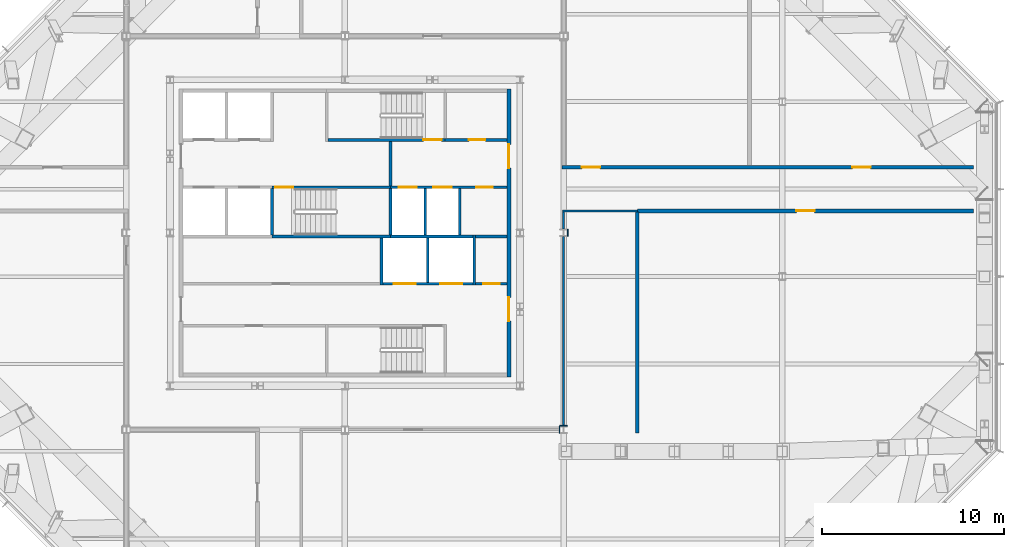
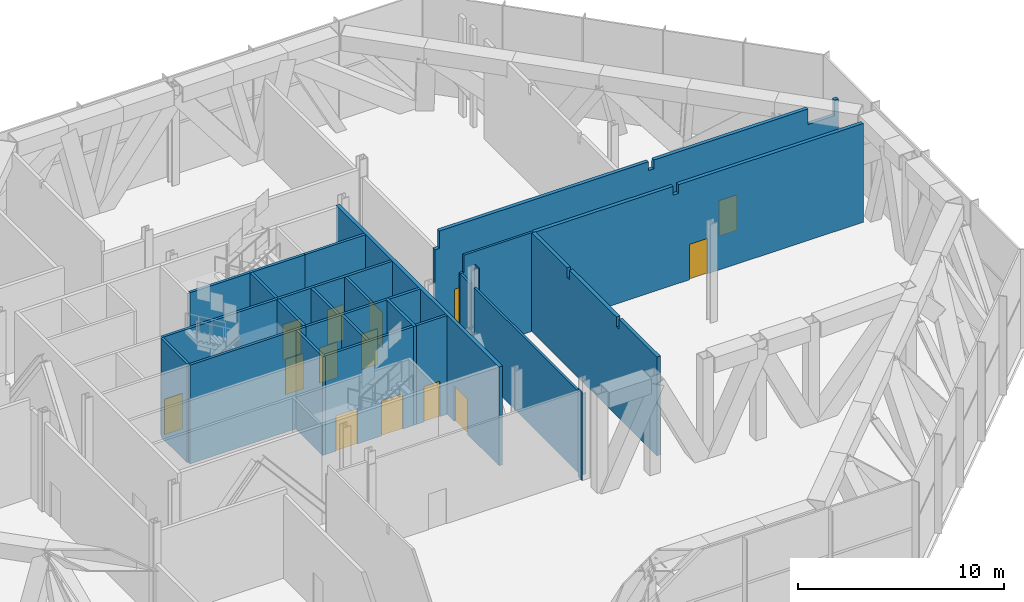
# One storey, part 14 of 18: 27 walls, 14 doors, 14 openings.
"""IFC4 building model written with IfcOpenShell, lengths in metres."""

from ifc_helpers import new_model, si_unit, direction, frame, frame_2d, origin, place, context, subcontext, project, spatial, polyline, rectangle, outline, extrude, material, layer, layer_set, type_object, element, fill, save


model = new_model("IFC4")

# Units and contexts
model_context = context("Model", 3, precision=1e-05, world=origin(), true_north=direction((0.0, 1.0)))
body_context = subcontext(model_context, "Body", "Model", "MODEL_VIEW")
ifc_project = project(units=[si_unit("LENGTHUNIT", "METRE"), si_unit("AREAUNIT", "SQUARE_METRE"), si_unit("VOLUMEUNIT", "CUBIC_METRE"), si_unit("PLANEANGLEUNIT", "RADIAN"), si_unit("MASSUNIT", "GRAM", prefix="KILO")], contexts=[model_context])

# Site, building, storey
site_placement = place(None, origin())
site = spatial("IfcSite", under=ifc_project, at=site_placement, CompositionType="ELEMENT")
building_placement = place(site_placement, origin())
building = spatial("IfcBuilding", under=site, at=building_placement, Name="Cairn Pilgrim Tower", CompositionType="ELEMENT")
storey_placement = place(building_placement, frame((0.0, 0.0, 204.60009765625)))
storey = spatial("IfcBuildingStorey", under=building, at=storey_placement, Name="L52", CompositionType="ELEMENT", Elevation=204.60009765625)

# Wall, openings, doors
ifc_material_1 = material(Name="Concrete C32/40", Category="concrete")
ifc_layer_1 = layer(ifc_material_1, 0.199951171875)
ifc_layer_set_1 = layer_set([ifc_layer_1], Name="CORE OUTER WALL 200 EI 120")
wall_type_1 = type_object("IfcWallType", Name="CORE OUTER WALL 200 EI 120", PredefinedType="SOLIDWALL", material=ifc_layer_set_1)
wall_1_placement = place(storey_placement, frame((16.199951171875, -5.5, 0.0), z_axis=(0.0, 0.0, 1.0), x_axis=(0.0, 1.0, 0.0)))
wall_1 = element("IfcWall", 1, at=wall_1_placement, inside=storey, type_object=wall_type_1, Name="CW:L52:V29", PredefinedType="SOLIDWALL", context=body_context, shape_type="SweptSolid", body=[
    extrude(rectangle(XDim=15.800048828125, YDim=0.199951171875, at=frame_2d((7.89990234375, 0.0))), origin(), (0.0, 0.0, 1.0), 5.849853515625),
])
opening_1_placement = place(wall_1_placement, frame((3.050048828125, 0.0, 0.0)))
opening_1 = element("IfcOpeningElement", 2, at=opening_1_placement, cuts=wall_1, Name="Opening CD-E1", PredefinedType="OPENING", context=body_context, shape_type="SweptSolid", body=[
    extrude(rectangle(XDim=1.300048828125, YDim=2.10009765625, at=frame_2d((0.64990234375, 1.050048828125))), frame((0.0, 0.10986328125, 0.0), z_axis=(0.0, -1.0, 0.0), x_axis=(1.0, 0.0, 0.0)), (0.0, 0.0, 1.0), 0.219970703125),
])
opening_2_placement = place(wall_1_placement, frame((11.449951171875, 0.0, 0.0)))
opening_2 = element("IfcOpeningElement", 3, at=opening_2_placement, cuts=wall_1, Name="Opening CD-E2", PredefinedType="OPENING", context=body_context, shape_type="SweptSolid", body=[
    extrude(rectangle(XDim=1.300048828125, YDim=2.10009765625, at=frame_2d((0.64990234375, 1.050048828125))), frame((0.0, 0.10986328125, 0.0), z_axis=(0.0, -1.0, 0.0), x_axis=(1.0, 0.0, 0.0)), (0.0, 0.0, 1.0), 0.219970703125),
])
ifc_material_2 = material(Name="Painted steel", Category="steel")
door_type_1 = type_object("IfcDoorType", Name="CORE LOBBY DOOR 1300x2100", OperationType="DOUBLE_DOOR_SINGLE_SWING", PredefinedType="DOOR", material=ifc_material_2)
door_1_placement = place(opening_1_placement, origin())
door_1 = element("IfcDoor", 4, at=door_1_placement, inside=storey, type_object=door_type_1, Name="CD-E1", OperationType="DOUBLE_DOOR_SINGLE_SWING", OverallHeight=2.10009765625, OverallWidth=1.300048828125, PredefinedType="DOOR", context=body_context, shape_type="SweptSolid", body=[
    extrude(rectangle(XDim=1.300048828125, YDim=2.10009765625, at=frame_2d((0.64990234375, 1.050048828125))), frame((0.0, 0.02490234375, 0.0), z_axis=(0.0, -1.0, 0.0), x_axis=(1.0, 0.0, 0.0)), (0.0, 0.0, 1.0), 0.050048828125),
])
fill(opening_1, door_1)
door_2_placement = place(opening_2_placement, origin())
door_2 = element("IfcDoor", 5, at=door_2_placement, inside=storey, type_object=door_type_1, Name="CD-E2", OperationType="DOUBLE_DOOR_SINGLE_SWING", OverallHeight=2.10009765625, OverallWidth=1.300048828125, PredefinedType="DOOR", context=body_context, shape_type="SweptSolid", body=[
    extrude(rectangle(XDim=1.300048828125, YDim=2.10009765625, at=frame_2d((0.64990234375, 1.050048828125))), frame((0.0, 0.02490234375, 0.0), z_axis=(0.0, -1.0, 0.0), x_axis=(1.0, 0.0, 0.0)), (0.0, 0.0, 1.0), 0.050048828125),
])
fill(opening_2, door_2)

# Wall, opening, door
ifc_layer_2 = layer(ifc_material_1, 0.14990234375)
ifc_layer_set_2 = layer_set([ifc_layer_2], Name="CORE PARTITION 150 EI 60")
wall_type_2 = type_object("IfcWallType", Name="CORE PARTITION 150 EI 60", PredefinedType="PARTITIONING", material=ifc_layer_set_2)
wall_2_placement = place(storey_placement, frame((14.375, -0.39990234375, 0.0), z_axis=(0.0, 0.0, 1.0), x_axis=(1.0, 0.0, 0.0)))
wall_2 = element("IfcWall", 6, at=wall_2_placement, inside=storey, type_object=wall_type_2, Name="CW:L52:H06", PredefinedType="PARTITIONING", context=body_context, shape_type="SweptSolid", body=[
    extrude(rectangle(XDim=1.72509765625, YDim=0.14990234375, at=frame_2d((0.862548828125, 0.0))), origin(), (0.0, 0.0, 1.0), 5.849853515625),
])
opening_3_placement = place(wall_2_placement, frame((0.425048828125, 0.0, 0.0)))
opening_3 = element("IfcOpeningElement", 7, at=opening_3_placement, cuts=wall_2, Name="Opening RD-R2E", PredefinedType="OPENING", context=body_context, shape_type="SweptSolid", body=[
    extrude(rectangle(XDim=0.89990234375, YDim=2.10009765625, at=frame_2d((0.449951171875, 1.050048828125))), frame((0.0, 0.0849609375, 0.0), z_axis=(0.0, -1.0, 0.0), x_axis=(1.0, 0.0, 0.0)), (0.0, 0.0, 1.0), 0.169921875),
])
door_type_2 = type_object("IfcDoorType", Name="SERVICE ROOM DOOR 900x2100", OperationType="SINGLE_SWING_LEFT", PredefinedType="DOOR", material=ifc_material_2)
door_3_placement = place(opening_3_placement, origin())
door_3 = element("IfcDoor", 8, at=door_3_placement, inside=storey, type_object=door_type_2, Name="RD-R2E", OperationType="SINGLE_SWING_RIGHT", OverallHeight=2.10009765625, OverallWidth=0.89990234375, PredefinedType="DOOR", context=body_context, shape_type="SweptSolid", body=[
    extrude(rectangle(XDim=0.89990234375, YDim=2.10009765625, at=frame_2d((0.449951171875, 1.050048828125))), frame((0.0, 0.02490234375, 0.0), z_axis=(0.0, -1.0, 0.0), x_axis=(1.0, 0.0, 0.0)), (0.0, 0.0, 1.0), 0.050048828125),
])
fill(opening_3, door_3)

# Wall
wall_3_placement = place(storey_placement, frame((14.375, 2.199951171875, 0.0), z_axis=(0.0, 0.0, 1.0), x_axis=(1.0, 0.0, 0.0)))
element("IfcWall", 9, at=wall_3_placement, inside=storey, type_object=wall_type_2, Name="CW:L52:H08", PredefinedType="PARTITIONING", context=body_context, shape_type="SweptSolid", body=[
    extrude(rectangle(XDim=1.72509765625, YDim=0.14990234375, at=frame_2d((0.862548828125, 0.0))), origin(), (0.0, 0.0, 1.0), 5.849853515625),
])

# Wall, openings, doors
ifc_layer_3 = layer(ifc_material_1, 0.14990234375)
ifc_layer_set_3 = layer_set([ifc_layer_3], Name="CORE SHAFT WALL 150 EI 120")
wall_type_3 = type_object("IfcWallType", Name="CORE SHAFT WALL 150 EI 120", PredefinedType="SOLIDWALL", material=ifc_layer_set_3)
wall_4_placement = place(storey_placement, frame((9.27490234375, -0.39990234375, 0.0), z_axis=(0.0, 0.0, 1.0), x_axis=(1.0, 0.0, 0.0)))
wall_4 = element("IfcWall", 10, at=wall_4_placement, inside=storey, type_object=wall_type_3, Name="CW:L52:H05", PredefinedType="SOLIDWALL", context=body_context, shape_type="SweptSolid", body=[
    extrude(rectangle(XDim=4.9501953125, YDim=0.14990234375, at=frame_2d((2.47509765625, 0.0))), origin(), (0.0, 0.0, 1.0), 5.849853515625),
])
opening_4_placement = place(wall_4_placement, frame((0.60009765625, 0.0, 0.0)))
opening_4 = element("IfcOpeningElement", 11, at=opening_4_placement, cuts=wall_4, Name="Opening LD-SV1", PredefinedType="OPENING", context=body_context, shape_type="SweptSolid", body=[
    extrude(rectangle(XDim=1.199951171875, YDim=2.10009765625, at=frame_2d((0.60009765625, 1.050048828125))), frame((0.0, 0.0849609375, 0.0), z_axis=(0.0, -1.0, 0.0), x_axis=(1.0, 0.0, 0.0)), (0.0, 0.0, 1.0), 0.169921875),
])
opening_5_placement = place(wall_4_placement, frame((3.14990234375, 0.0, 0.0)))
opening_5 = element("IfcOpeningElement", 12, at=opening_5_placement, cuts=wall_4, Name="Opening LD-SV2", PredefinedType="OPENING", context=body_context, shape_type="SweptSolid", body=[
    extrude(rectangle(XDim=1.199951171875, YDim=2.10009765625, at=frame_2d((0.60009765625, 1.050048828125))), frame((0.0, 0.0849609375, 0.0), z_axis=(0.0, -1.0, 0.0), x_axis=(1.0, 0.0, 0.0)), (0.0, 0.0, 1.0), 0.169921875),
])
ifc_material_3 = material(Name="Stainless steel", Category="steel")
door_type_3 = type_object("IfcDoorType", Name="LIFT LANDING DOOR 1200x2100", OperationType="DOUBLE_DOOR_SLIDING", PredefinedType="DOOR", material=ifc_material_3)
door_4_placement = place(opening_4_placement, origin())
door_4 = element("IfcDoor", 13, at=door_4_placement, inside=storey, type_object=door_type_3, Name="LANDING DOOR SV1", OperationType="DOUBLE_DOOR_SLIDING", OverallHeight=2.10009765625, OverallWidth=1.199951171875, PredefinedType="DOOR", context=body_context, shape_type="SweptSolid", body=[
    extrude(rectangle(XDim=1.199951171875, YDim=2.10009765625, at=frame_2d((0.60009765625, 1.050048828125))), frame((0.0, 0.02490234375, 0.0), z_axis=(0.0, -1.0, 0.0), x_axis=(1.0, 0.0, 0.0)), (0.0, 0.0, 1.0), 0.050048828125),
])
fill(opening_4, door_4)
door_5_placement = place(opening_5_placement, origin())
door_5 = element("IfcDoor", 14, at=door_5_placement, inside=storey, type_object=door_type_3, Name="LANDING DOOR SV2", OperationType="DOUBLE_DOOR_SLIDING", OverallHeight=2.10009765625, OverallWidth=1.199951171875, PredefinedType="DOOR", context=body_context, shape_type="SweptSolid", body=[
    extrude(rectangle(XDim=1.199951171875, YDim=2.10009765625, at=frame_2d((0.60009765625, 1.050048828125))), frame((0.0, 0.02490234375, 0.0), z_axis=(0.0, -1.0, 0.0), x_axis=(1.0, 0.0, 0.0)), (0.0, 0.0, 1.0), 0.050048828125),
])
fill(opening_5, door_5)

# Wall
wall_5_placement = place(storey_placement, frame((9.699951171875, 2.199951171875, 0.0), z_axis=(0.0, 0.0, 1.0), x_axis=(1.0, 0.0, 0.0)))
element("IfcWall", 15, at=wall_5_placement, inside=storey, type_object=wall_type_3, Name="CW:L52:H07-3", PredefinedType="SOLIDWALL", context=body_context, shape_type="SweptSolid", body=[
    extrude(rectangle(XDim=4.525146484375, YDim=0.14990234375, at=frame_2d((2.2626953125, 0.0))), origin(), (0.0, 0.0, 1.0), 5.849853515625),
])

# Wall, openings, doors
wall_6_placement = place(storey_placement, frame((9.699951171875, 4.89990234375, 0.0), z_axis=(0.0, 0.0, 1.0), x_axis=(1.0, 0.0, 0.0)))
wall_6 = element("IfcWall", 16, at=wall_6_placement, inside=storey, type_object=wall_type_3, Name="CW:L52:H09-3", PredefinedType="SOLIDWALL", context=body_context, shape_type="SweptSolid", body=[
    extrude(rectangle(XDim=6.400146484375, YDim=0.14990234375, at=frame_2d((3.2001953125, 0.0))), origin(), (0.0, 0.0, 1.0), 5.849853515625),
])
opening_6_placement = place(wall_6_placement, frame((0.449951171875, 0.0, 0.0)))
opening_6 = element("IfcOpeningElement", 17, at=opening_6_placement, cuts=wall_6, Name="Opening LD-FF1", PredefinedType="OPENING", context=body_context, shape_type="SweptSolid", body=[
    extrude(rectangle(XDim=1.0, YDim=2.10009765625, at=frame_2d((0.5, 1.050048828125))), frame((0.0, 0.0849609375, 0.0), z_axis=(0.0, -1.0, 0.0), x_axis=(1.0, 0.0, 0.0)), (0.0, 0.0, 1.0), 0.169921875),
])
opening_7_placement = place(wall_6_placement, frame((2.35009765625, 0.0, 0.0)))
opening_7 = element("IfcOpeningElement", 18, at=opening_7_placement, cuts=wall_6, Name="Opening LD-FF2", PredefinedType="OPENING", context=body_context, shape_type="SweptSolid", body=[
    extrude(rectangle(XDim=1.0, YDim=2.10009765625, at=frame_2d((0.5, 1.050048828125))), frame((0.0, 0.0849609375, 0.0), z_axis=(0.0, -1.0, 0.0), x_axis=(1.0, 0.0, 0.0)), (0.0, 0.0, 1.0), 0.169921875),
])
opening_8_placement = place(wall_6_placement, frame((4.699951171875, 0.0, 0.0)))
opening_8 = element("IfcOpeningElement", 19, at=opening_8_placement, cuts=wall_6, Name="Opening RD-R3E", PredefinedType="OPENING", context=body_context, shape_type="SweptSolid", body=[
    extrude(rectangle(XDim=0.89990234375, YDim=2.10009765625, at=frame_2d((0.449951171875, 1.050048828125))), frame((0.0, 0.0849609375, 0.0), z_axis=(0.0, -1.0, 0.0), x_axis=(1.0, 0.0, 0.0)), (0.0, 0.0, 1.0), 0.169921875),
])
door_type_4 = type_object("IfcDoorType", Name="LIFT LANDING DOOR FIRE 1000x2100", OperationType="DOUBLE_DOOR_SLIDING", PredefinedType="DOOR", material=ifc_material_3)
door_6_placement = place(opening_6_placement, origin())
door_6 = element("IfcDoor", 20, at=door_6_placement, inside=storey, type_object=door_type_4, Name="LANDING DOOR FF1", OperationType="DOUBLE_DOOR_SLIDING", OverallHeight=2.10009765625, OverallWidth=1.0, PredefinedType="DOOR", context=body_context, shape_type="SweptSolid", body=[
    extrude(rectangle(XDim=1.0, YDim=2.10009765625, at=frame_2d((0.5, 1.050048828125))), frame((0.0, 0.02490234375, 0.0), z_axis=(0.0, -1.0, 0.0), x_axis=(1.0, 0.0, 0.0)), (0.0, 0.0, 1.0), 0.050048828125),
])
fill(opening_6, door_6)
door_7_placement = place(opening_7_placement, origin())
door_7 = element("IfcDoor", 21, at=door_7_placement, inside=storey, type_object=door_type_4, Name="LANDING DOOR FF2", OperationType="DOUBLE_DOOR_SLIDING", OverallHeight=2.10009765625, OverallWidth=1.0, PredefinedType="DOOR", context=body_context, shape_type="SweptSolid", body=[
    extrude(rectangle(XDim=1.0, YDim=2.10009765625, at=frame_2d((0.5, 1.050048828125))), frame((0.0, 0.02490234375, 0.0), z_axis=(0.0, -1.0, 0.0), x_axis=(1.0, 0.0, 0.0)), (0.0, 0.0, 1.0), 0.050048828125),
])
fill(opening_7, door_7)
door_8_placement = place(opening_8_placement, origin())
door_8 = element("IfcDoor", 22, at=door_8_placement, inside=storey, type_object=door_type_2, Name="RD-R3E", OperationType="SINGLE_SWING_LEFT", OverallHeight=2.10009765625, OverallWidth=0.89990234375, PredefinedType="DOOR", context=body_context, shape_type="SweptSolid", body=[
    extrude(rectangle(XDim=0.89990234375, YDim=2.10009765625, at=frame_2d((0.449951171875, 1.050048828125))), frame((0.0, 0.02490234375, 0.0), z_axis=(0.0, -1.0, 0.0), x_axis=(1.0, 0.0, 0.0)), (0.0, 0.0, 1.0), 0.050048828125),
])
fill(opening_8, door_8)

# Wall, opening, door
wall_7_placement = place(storey_placement, frame((12.699951171875, 7.5, 0.0), z_axis=(0.0, 0.0, 1.0), x_axis=(1.0, 0.0, 0.0)))
wall_7 = element("IfcWall", 23, at=wall_7_placement, inside=storey, type_object=wall_type_3, Name="CW:L52:H11-2", PredefinedType="SOLIDWALL", context=body_context, shape_type="SweptSolid", body=[
    extrude(rectangle(XDim=3.400146484375, YDim=0.14990234375, at=frame_2d((1.7001953125, 0.0))), origin(), (0.0, 0.0, 1.0), 5.849853515625),
])
opening_9_placement = place(wall_7_placement, frame((1.300048828125, 0.0, 0.0)))
opening_9 = element("IfcOpeningElement", 24, at=opening_9_placement, cuts=wall_7, Name="Opening RD-R4E", PredefinedType="OPENING", context=body_context, shape_type="SweptSolid", body=[
    extrude(rectangle(XDim=0.89990234375, YDim=2.10009765625, at=frame_2d((0.449951171875, 1.050048828125))), frame((0.0, 0.0849609375, 0.0), z_axis=(0.0, -1.0, 0.0), x_axis=(1.0, 0.0, 0.0)), (0.0, 0.0, 1.0), 0.169921875),
])
door_9_placement = place(opening_9_placement, origin())
door_9 = element("IfcDoor", 25, at=door_9_placement, inside=storey, type_object=door_type_2, Name="RD-R4E", OperationType="SINGLE_SWING_RIGHT", OverallHeight=2.10009765625, OverallWidth=0.89990234375, PredefinedType="DOOR", context=body_context, shape_type="SweptSolid", body=[
    extrude(rectangle(XDim=0.89990234375, YDim=2.10009765625, at=frame_2d((0.449951171875, 1.050048828125))), frame((0.0, 0.02490234375, 0.0), z_axis=(0.0, -1.0, 0.0), x_axis=(1.0, 0.0, 0.0)), (0.0, 0.0, 1.0), 0.050048828125),
])
fill(opening_9, door_9)

# Walls
wall_8_placement = place(storey_placement, frame((9.199951171875, -0.47509765625, 0.0), z_axis=(0.0, 0.0, 1.0), x_axis=(0.0, 1.0, 0.0)))
element("IfcWall", 26, at=wall_8_placement, inside=storey, type_object=wall_type_3, Name="CW:L52:V20", PredefinedType="SOLIDWALL", context=body_context, shape_type="SweptSolid", body=[
    extrude(rectangle(XDim=2.60009765625, YDim=0.14990234375, at=frame_2d((1.300048828125, 0.0))), origin(), (0.0, 0.0, 1.0), 5.849853515625),
])
wall_9_placement = place(storey_placement, frame((9.699951171875, 4.97509765625, 0.0), z_axis=(0.0, 0.0, 1.0), x_axis=(0.0, 1.0, 0.0)))
element("IfcWall", 27, at=wall_9_placement, inside=storey, type_object=wall_type_3, Name="CW:L52:V22", PredefinedType="SOLIDWALL", context=body_context, shape_type="SweptSolid", body=[
    extrude(rectangle(XDim=2.449951171875, YDim=0.14990234375, at=frame_2d((1.22509765625, 0.0))), origin(), (0.0, 0.0, 1.0), 5.849853515625),
])
wall_10_placement = place(storey_placement, frame((11.60009765625, 2.27490234375, 0.0), z_axis=(0.0, 0.0, 1.0), x_axis=(0.0, 1.0, 0.0)))
element("IfcWall", 28, at=wall_10_placement, inside=storey, type_object=wall_type_3, Name="CW:L52:V23", PredefinedType="SOLIDWALL", context=body_context, shape_type="SweptSolid", body=[
    extrude(rectangle(XDim=2.550048828125, YDim=0.14990234375, at=frame_2d((1.27490234375, 0.0))), origin(), (0.0, 0.0, 1.0), 5.849853515625),
])
wall_11_placement = place(storey_placement, frame((11.75, -0.324951171875, 0.0), z_axis=(0.0, 0.0, 1.0), x_axis=(0.0, 1.0, 0.0)))
element("IfcWall", 29, at=wall_11_placement, inside=storey, type_object=wall_type_3, Name="CW:L52:V24", PredefinedType="SOLIDWALL", context=body_context, shape_type="SweptSolid", body=[
    extrude(rectangle(XDim=2.449951171875, YDim=0.14990234375, at=frame_2d((1.22509765625, 0.0))), origin(), (0.0, 0.0, 1.0), 5.849853515625),
])
wall_12_placement = place(storey_placement, frame((13.5, 2.27490234375, 0.0), z_axis=(0.0, 0.0, 1.0), x_axis=(0.0, 1.0, 0.0)))
element("IfcWall", 30, at=wall_12_placement, inside=storey, type_object=wall_type_3, Name="CW:L52:V27", PredefinedType="SOLIDWALL", context=body_context, shape_type="SweptSolid", body=[
    extrude(rectangle(XDim=2.550048828125, YDim=0.14990234375, at=frame_2d((1.27490234375, 0.0))), origin(), (0.0, 0.0, 1.0), 5.849853515625),
])
wall_13_placement = place(storey_placement, frame((14.300048828125, -0.47509765625, 0.0), z_axis=(0.0, 0.0, 1.0), x_axis=(0.0, 1.0, 0.0)))
element("IfcWall", 31, at=wall_13_placement, inside=storey, type_object=wall_type_3, Name="CW:L52:V28", PredefinedType="SOLIDWALL", context=body_context, shape_type="SweptSolid", body=[
    extrude(rectangle(XDim=2.75, YDim=0.14990234375, at=frame_2d((1.375, 0.0))), origin(), (0.0, 0.0, 1.0), 5.849853515625),
])
ifc_material_4 = material(Name="Gypsum partition")
ifc_layer_4 = layer(ifc_material_4, 0.125)
ifc_layer_set_4 = layer_set([ifc_layer_4], Name="PARTITION 125 DRYWALL EI 60")
wall_type_4 = type_object("IfcWallType", Name="PARTITION 125 DRYWALL EI 60", PredefinedType="PARTITIONING", material=ifc_layer_set_4)
wall_14_placement = place(storey_placement, frame((19.199951171875, -8.20361328125, 0.0), z_axis=(0.0, 0.0, 1.0), x_axis=(0.0, 1.0, 0.0)))
element("IfcWall", 32, at=wall_14_placement, inside=storey, type_object=wall_type_4, Name="PARTITION W011", PredefinedType="PARTITIONING", context=body_context, shape_type="SweptSolid", body=[
    extrude(rectangle(XDim=10.4072265625, YDim=0.125, at=frame_2d((5.20361328125, 0.0))), origin(), (0.0, 0.0, 1.0), 4.822021484375),
])
wall_15_placement = place(storey_placement, frame((19.199951171875, 2.596435546875, 0.0), z_axis=(0.0, 0.0, 1.0), x_axis=(0.0, 1.0, 0.0)))
element("IfcWall", 33, at=wall_15_placement, inside=storey, type_object=wall_type_4, Name="PARTITION W013", PredefinedType="PARTITIONING", context=body_context, shape_type="SweptSolid", body=[
    extrude(rectangle(XDim=0.941162109375, YDim=0.125, at=frame_2d((0.470703125, 0.0))), origin(), (0.0, 0.0, 1.0), 4.822021484375),
])
wall_16_placement = place(storey_placement, frame((19.137451171875, 3.60009765625, 0.0), z_axis=(0.0, 0.0, 1.0), x_axis=(1.0, 0.0, 0.0)))
element("IfcWall", 34, at=wall_16_placement, inside=storey, type_object=wall_type_4, Name="PARTITION W015", PredefinedType="PARTITIONING", context=body_context, shape_type="SweptSolid", body=[
    extrude(outline(polyline([(0.0, 0.0), (4.112548828125, 0.0), (4.112548828125, 5.849853515625), (0.21337890625, 5.849853515625), (0.21142578125, 4.822021484375), (0.0, 4.822021484375), (0.0, 0.0)])), frame((0.0, 0.0625, 0.0), z_axis=(0.0, -1.0, 0.0), x_axis=(1.0, 0.0, 0.0)), (0.0, 0.0, 1.0), 0.125),
])
ifc_layer_5 = layer(ifc_material_4, 0.050048828125)
ifc_layer_set_5 = layer_set([ifc_layer_5], Name="PARTITION 50 DRYWALL EI 60")
wall_type_5 = type_object("IfcWallType", Name="PARTITION 50 DRYWALL EI 60", PredefinedType="PARTITIONING", material=ifc_layer_set_5)
wall_17_placement = place(storey_placement, frame((19.00048828125, -8.178466796875, 0.0), z_axis=(0.0, 0.0, 1.0), x_axis=(1.0, 0.0, 0.0)))
element("IfcWall", 35, at=wall_17_placement, inside=storey, type_object=wall_type_5, Name="COLUMN CASING WC05", PredefinedType="PARTITIONING", context=body_context, shape_type="SweptSolid", body=[
    extrude(rectangle(XDim=0.39892578125, YDim=0.050048828125, at=frame_2d((0.199462890625, 0.0))), origin(), (0.0, 0.0, 1.0), 4.822021484375),
])
wall_18_placement = place(storey_placement, frame((18.9755859375, -8.596435546875, 0.0), z_axis=(0.0, 0.0, 1.0), x_axis=(0.0, 1.0, 0.0)))
element("IfcWall", 36, at=wall_18_placement, inside=storey, type_object=wall_type_5, Name="COLUMN CASING WC06", PredefinedType="PARTITIONING", context=body_context, shape_type="SweptSolid", body=[
    extrude(rectangle(XDim=0.392822265625, YDim=0.050048828125, at=frame_2d((0.1962890625, 0.0))), origin(), (0.0, 0.0, 1.0), 5.22998046875),
])
wall_19_placement = place(storey_placement, frame((19.424560546875, 2.20361328125, 0.0), z_axis=(0.0, 0.0, 1.0), x_axis=(0.0, 1.0, 0.0)))
element("IfcWall", 37, at=wall_19_placement, inside=storey, type_object=wall_type_5, Name="COLUMN CASING WC07", PredefinedType="PARTITIONING", context=body_context, shape_type="SweptSolid", body=[
    extrude(rectangle(XDim=0.392822265625, YDim=0.050048828125, at=frame_2d((0.1962890625, 0.0))), origin(), (0.0, 0.0, 1.0), 5.849853515625),
])
ifc_layer_6 = layer(ifc_material_4, 0.199951171875)
ifc_layer_set_6 = layer_set([ifc_layer_6], Name="SHAFT WALL 200 GYPSUM EI 120")
wall_type_6 = type_object("IfcWallType", Name="SHAFT WALL 200 GYPSUM EI 120", PredefinedType="PARTITIONING", material=ifc_layer_set_6)
wall_20_placement = place(storey_placement, frame((23.25, -8.60009765625, 0.0), z_axis=(0.0, 0.0, 1.0), x_axis=(0.0, 1.0, 0.0)))
element("IfcWall", 38, at=wall_20_placement, inside=storey, type_object=wall_type_6, Name="PARTITION W006", PredefinedType="PARTITIONING", context=body_context, shape_type="SweptSolid", body=[
    extrude(outline(polyline([(0.0, 0.0), (12.1376953125, 0.0), (12.137451171875, 5.849853515625), (8.705078125, 5.849853515625), (8.702880859375, 5.27978515625), (8.4951171875, 5.27978515625), (8.492919921875, 5.849853515625), (3.905029296875, 5.849853515625), (3.903076171875, 5.27978515625), (3.695068359375, 5.27978515625), (3.693115234375, 5.849853515625), (0.0, 5.849853515625), (0.0, 0.0)])), frame((0.0, 0.10009765625, 0.0), z_axis=(0.0, -1.0, 0.0), x_axis=(1.0, 0.0, 0.0)), (0.0, 0.0, 1.0), 0.199951171875),
])

# Wall, opening, door
wall_21_placement = place(storey_placement, frame((23.25, 3.60009765625, 0.0), z_axis=(0.0, 0.0, 1.0), x_axis=(1.0, 0.0, 0.0)))
wall_21 = element("IfcWall", 39, at=wall_21_placement, inside=storey, type_object=wall_type_6, Name="PARTITION W016", PredefinedType="PARTITIONING", context=body_context, shape_type="SweptSolid", body=[
    extrude(outline(polyline([(0.0, 0.0), (18.449951171875, 0.0), (18.449951171875, 5.849853515625), (8.10009765625, 5.849853515625), (8.097900390625, 5.329833984375), (7.800048828125, 5.329833984375), (7.798095703125, 5.849853515625), (0.0, 5.849853515625), (0.0, 0.0)])), frame((0.0, 0.10009765625, 0.0), z_axis=(0.0, -1.0, 0.0), x_axis=(1.0, 0.0, 0.0)), (0.0, 0.0, 1.0), 0.199951171875),
])
opening_10_placement = place(wall_21_placement, frame((8.72509765625, 0.0, 0.0)))
opening_10 = element("IfcOpeningElement", 40, at=opening_10_placement, cuts=wall_21, Name="Opening 5209", PredefinedType="OPENING", context=body_context, shape_type="SweptSolid", body=[
    extrude(rectangle(XDim=1.0, YDim=2.10009765625, at=frame_2d((0.5, 1.050048828125))), frame((0.0, 0.10986328125, 0.0), z_axis=(0.0, -1.0, 0.0), x_axis=(1.0, 0.0, 0.0)), (0.0, 0.0, 1.0), 0.219970703125),
])
ifc_material_5 = material(Name="Steel-faced fire door leaf", Category="steel")
door_type_5 = type_object("IfcDoorType", Name="FIRE DOOR 1000x2100 FD60S", OperationType="NOTDEFINED", PredefinedType="DOOR", material=ifc_material_5)
door_10_placement = place(opening_10_placement, origin())
door_10 = element("IfcDoor", 41, at=door_10_placement, inside=storey, type_object=door_type_5, Name="DOOR 5209", OperationType="SINGLE_SWING_LEFT", OverallHeight=2.10009765625, OverallWidth=1.0, PredefinedType="DOOR", context=body_context, shape_type="SweptSolid", body=[
    extrude(rectangle(XDim=1.0, YDim=2.10009765625, at=frame_2d((0.5, 1.050048828125))), frame((0.0, 0.02490234375, 0.0), z_axis=(0.0, -1.0, 0.0), x_axis=(1.0, 0.0, 0.0)), (0.0, 0.0, 1.0), 0.050048828125),
])
fill(opening_10, door_10)

# Wall, openings, doors
wall_22_placement = place(storey_placement, frame((19.10009765625, 6.0, 0.0), z_axis=(0.0, 0.0, 1.0), x_axis=(1.0, 0.0, 0.0)))
wall_22 = element("IfcWall", 42, at=wall_22_placement, inside=storey, type_object=wall_type_6, Name="PARTITION W018", PredefinedType="PARTITIONING", context=body_context, shape_type="SweptSolid", body=[
    extrude(outline(polyline([(0.0, 0.0), (22.599853515625, 0.0), (22.60009765625, 5.849853515625), (22.363525390625, 5.849853515625), (22.361572265625, 4.929931640625), (20.890869140625, 4.929931640625), (20.888916015625, 5.849853515625), (12.25, 5.849853515625), (12.248046875, 5.329833984375), (11.949951171875, 5.329833984375), (11.947998046875, 5.849853515625), (0.2509765625, 5.849853515625), (0.2490234375, 4.822021484375), (0.0, 4.822021484375), (0.0, 0.0)])), frame((0.0, 0.10009765625, 0.0), z_axis=(0.0, -1.0, 0.0), x_axis=(1.0, 0.0, 0.0)), (0.0, 0.0, 1.0), 0.199951171875),
])
opening_11_placement = place(wall_22_placement, frame((1.10009765625, 0.0, 0.0)))
opening_11 = element("IfcOpeningElement", 43, at=opening_11_placement, cuts=wall_22, Name="Opening 5204", PredefinedType="OPENING", context=body_context, shape_type="SweptSolid", body=[
    extrude(rectangle(XDim=1.0, YDim=2.10009765625, at=frame_2d((0.5, 1.050048828125))), frame((0.0, 0.10986328125, 0.0), z_axis=(0.0, -1.0, 0.0), x_axis=(1.0, 0.0, 0.0)), (0.0, 0.0, 1.0), 0.219970703125),
])
opening_12_placement = place(wall_22_placement, frame((15.949951171875, 0.0, 0.0)))
opening_12 = element("IfcOpeningElement", 44, at=opening_12_placement, cuts=wall_22, Name="Opening 5205", PredefinedType="OPENING", context=body_context, shape_type="SweptSolid", body=[
    extrude(rectangle(XDim=1.0, YDim=2.10009765625, at=frame_2d((0.5, 1.050048828125))), frame((0.0, 0.10986328125, 0.0), z_axis=(0.0, -1.0, 0.0), x_axis=(1.0, 0.0, 0.0)), (0.0, 0.0, 1.0), 0.219970703125),
])
door_11_placement = place(opening_11_placement, frame((1.0, 0.0, 0.0), z_axis=(0.0, 0.0, 1.0), x_axis=(-1.0, 0.0, 0.0)))
door_11 = element("IfcDoor", 45, at=door_11_placement, inside=storey, type_object=door_type_5, Name="DOOR 5204", OperationType="SINGLE_SWING_RIGHT", OverallHeight=2.10009765625, OverallWidth=1.0, PredefinedType="DOOR", context=body_context, shape_type="SweptSolid", body=[
    extrude(rectangle(XDim=1.0, YDim=2.10009765625, at=frame_2d((0.5, 1.050048828125))), frame((0.0, 0.02490234375, 0.0), z_axis=(0.0, -1.0, 0.0), x_axis=(1.0, 0.0, 0.0)), (0.0, 0.0, 1.0), 0.050048828125),
])
fill(opening_11, door_11)
door_12_placement = place(opening_12_placement, frame((1.0, 0.0, 0.0), z_axis=(0.0, 0.0, 1.0), x_axis=(-1.0, 0.0, 0.0)))
door_12 = element("IfcDoor", 46, at=door_12_placement, inside=storey, type_object=door_type_5, Name="DOOR 5205", OperationType="SINGLE_SWING_LEFT", OverallHeight=2.10009765625, OverallWidth=1.0, PredefinedType="DOOR", context=body_context, shape_type="SweptSolid", body=[
    extrude(rectangle(XDim=1.0, YDim=2.10009765625, at=frame_2d((0.5, 1.050048828125))), frame((0.0, 0.02490234375, 0.0), z_axis=(0.0, -1.0, 0.0), x_axis=(1.0, 0.0, 0.0)), (0.0, 0.0, 1.0), 0.050048828125),
])
fill(opening_12, door_12)

# Wall
ifc_material_6 = material(Name="Concrete C35/45", Category="concrete")
ifc_layer_7 = layer(ifc_material_6, 0.14990234375)
ifc_layer_set_7 = layer_set([ifc_layer_7], Name="STAIR SHAFT WALL 150 EI 120")
wall_type_7 = type_object("IfcWallType", Name="STAIR SHAFT WALL 150 EI 120", PredefinedType="SOLIDWALL", material=ifc_layer_set_7)
wall_23_placement = place(storey_placement, frame((3.199951171875, 2.199951171875, 0.0), z_axis=(0.0, 0.0, 1.0), x_axis=(1.0, 0.0, 0.0)))
element("IfcWall", 47, at=wall_23_placement, inside=storey, type_object=wall_type_7, Name="CW:L52:H07-2", PredefinedType="SOLIDWALL", context=body_context, shape_type="SweptSolid", body=[
    extrude(rectangle(XDim=6.5, YDim=0.14990234375, at=frame_2d((3.25, 0.0))), origin(), (0.0, 0.0, 1.0), 5.849853515625),
])

# Wall, opening, door
wall_24_placement = place(storey_placement, frame((3.199951171875, 4.89990234375, 0.0), z_axis=(0.0, 0.0, 1.0), x_axis=(1.0, 0.0, 0.0)))
wall_24 = element("IfcWall", 48, at=wall_24_placement, inside=storey, type_object=wall_type_7, Name="CW:L52:H09-2", PredefinedType="SOLIDWALL", context=body_context, shape_type="SweptSolid", body=[
    extrude(rectangle(XDim=6.5, YDim=0.14990234375, at=frame_2d((3.25, 0.0))), origin(), (0.0, 0.0, 1.0), 5.849853515625),
])
opening_13_placement = place(wall_24_placement, frame((0.175048828125, 0.0, 0.0)))
opening_13 = element("IfcOpeningElement", 49, at=opening_13_placement, cuts=wall_24, Name="Opening SD-B", PredefinedType="OPENING", context=body_context, shape_type="SweptSolid", body=[
    extrude(rectangle(XDim=1.0, YDim=2.10009765625, at=frame_2d((0.5, 1.050048828125))), frame((0.0, 0.0849609375, 0.0), z_axis=(0.0, -1.0, 0.0), x_axis=(1.0, 0.0, 0.0)), (0.0, 0.0, 1.0), 0.169921875),
])
door_type_6 = type_object("IfcDoorType", Name="STAIR DOOR FD60S 1000x2100", OperationType="SINGLE_SWING_LEFT", PredefinedType="DOOR", material=ifc_material_2)
door_13_placement = place(opening_13_placement, origin())
door_13 = element("IfcDoor", 50, at=door_13_placement, inside=storey, type_object=door_type_6, Name="SD-B", OperationType="SINGLE_SWING_RIGHT", OverallHeight=2.10009765625, OverallWidth=1.0, PredefinedType="DOOR", context=body_context, shape_type="SweptSolid", body=[
    extrude(rectangle(XDim=1.0, YDim=2.10009765625, at=frame_2d((0.5, 1.050048828125))), frame((0.0, 0.02490234375, 0.0), z_axis=(0.0, -1.0, 0.0), x_axis=(1.0, 0.0, 0.0)), (0.0, 0.0, 1.0), 0.050048828125),
])
fill(opening_13, door_13)

wall_25_placement = place(storey_placement, frame((6.27490234375, 7.5, 0.0), z_axis=(0.0, 0.0, 1.0), x_axis=(1.0, 0.0, 0.0)))
wall_25 = element("IfcWall", 51, at=wall_25_placement, inside=storey, type_object=wall_type_7, Name="CW:L52:H11-1", PredefinedType="SOLIDWALL", context=body_context, shape_type="SweptSolid", body=[
    extrude(rectangle(XDim=6.425048828125, YDim=0.14990234375, at=frame_2d((3.21240234375, 0.0))), origin(), (0.0, 0.0, 1.0), 5.849853515625),
])
opening_14_placement = place(wall_25_placement, frame((5.22509765625, 0.0, 0.0)))
opening_14 = element("IfcOpeningElement", 52, at=opening_14_placement, cuts=wall_25, Name="Opening SD-C", PredefinedType="OPENING", context=body_context, shape_type="SweptSolid", body=[
    extrude(rectangle(XDim=1.0, YDim=2.10009765625, at=frame_2d((0.5, 1.050048828125))), frame((0.0, 0.0849609375, 0.0), z_axis=(0.0, -1.0, 0.0), x_axis=(1.0, 0.0, 0.0)), (0.0, 0.0, 1.0), 0.169921875),
])
door_14_placement = place(opening_14_placement, origin())
door_14 = element("IfcDoor", 53, at=door_14_placement, inside=storey, type_object=door_type_6, Name="SD-C", OperationType="SINGLE_SWING_LEFT", OverallHeight=2.10009765625, OverallWidth=1.0, PredefinedType="DOOR", context=body_context, shape_type="SweptSolid", body=[
    extrude(rectangle(XDim=1.0, YDim=2.10009765625, at=frame_2d((0.5, 1.050048828125))), frame((0.0, 0.02490234375, 0.0), z_axis=(0.0, -1.0, 0.0), x_axis=(1.0, 0.0, 0.0)), (0.0, 0.0, 1.0), 0.050048828125),
])
fill(opening_14, door_14)

# Walls
for number, where, z_axis, x_axis, name in (
    (54, (3.199951171875, 2.27490234375, 0.0), (0.0, 0.0, 1.0), (0.0, 1.0, 0.0), "CW:L52:V16"),
    (55, (9.699951171875, 2.27490234375, 0.0), (0.0, 0.0, 1.0), (0.0, 1.0, 0.0), "CW:L52:V21"),
):
    element("IfcWall", number, at=place(storey_placement, frame(where, z_axis=z_axis, x_axis=x_axis)), inside=storey, type_object=wall_type_7, Name=name, PredefinedType="SOLIDWALL", context=body_context, shape_type="SweptSolid", body=[
        extrude(rectangle(XDim=2.550048828125, YDim=0.14990234375, at=frame_2d((1.27490234375, 0.0))), origin(), (0.0, 0.0, 1.0), 5.849853515625),
    ])

save(model, "model.ifc")
